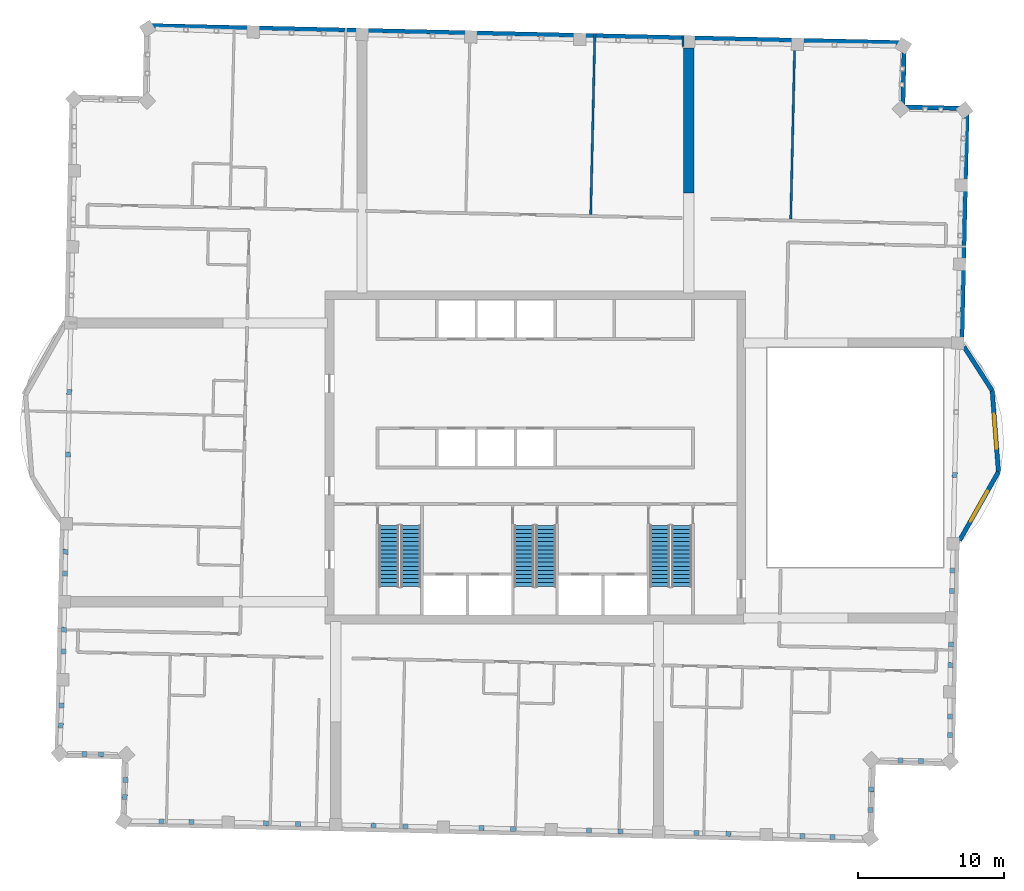
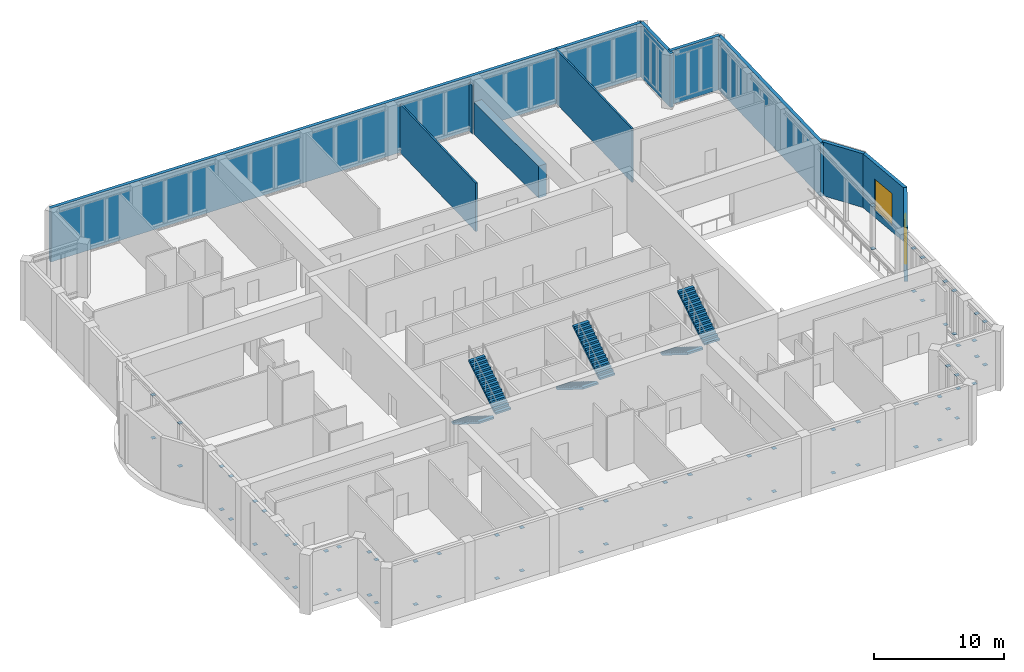
# One storey, part 13 of 16: 74 discrete accessories, 11 walls, 6 stair flights, 2 windows, 2 openings, 3 elements without a shape of their own.
"""IFC4 building model written with IfcOpenShell, lengths in metres."""

from ifc_helpers import new_model, si_unit, direction, frame, frame_2d, origin, origin_2d, place, context, subcontext, project, spatial, polyline, rectangle, outline, extrude, material, layer, layer_set, type_object, element, fill, aggregate, save


model = new_model("IFC4")

# Units and contexts
model_context = context("Model", 3, precision=1e-05, world=origin(), true_north=direction((0.0, 1.0)))
body_context = subcontext(model_context, "Body", "Model", "MODEL_VIEW")
ifc_project = project(units=[si_unit("LENGTHUNIT", "METRE"), si_unit("AREAUNIT", "SQUARE_METRE"), si_unit("VOLUMEUNIT", "CUBIC_METRE"), si_unit("PLANEANGLEUNIT", "RADIAN"), si_unit("MASSUNIT", "GRAM", prefix="KILO")], contexts=[model_context])

# Site, building, storey
site_placement = place(None, origin())
site = spatial("IfcSite", under=ifc_project, at=site_placement, CompositionType="ELEMENT")
building_placement = place(site_placement, origin())
building = spatial("IfcBuilding", under=site, at=building_placement, Name="Mangrove Gate Tower", CompositionType="ELEMENT")
storey_placement = place(building_placement, frame((0.0, 0.0, 324.10009765625)))
storey = spatial("IfcBuildingStorey", under=building, at=storey_placement, Name="L83", CompositionType="ELEMENT", Elevation=324.10009765625)

# Wall, opening, window
ifc_material_1 = material(Name="Limestone", Category="masonry")
ifc_layer_1 = layer(ifc_material_1, 0.0400390625, Name="Limestone cladding")
ifc_material_2 = material(Name="Ventilated air gap")
ifc_layer_2 = layer(ifc_material_2, 0.0400390625, Name="Ventilated cavity")
ifc_material_3 = material(Name="Mineral wool insulation")
ifc_layer_3 = layer(ifc_material_3, 0.06005859375, Name="Insulation")
ifc_material_4 = material(Name="Breather membrane")
ifc_layer_4 = layer(ifc_material_4, 0.001953125, Name="Breather membrane")
ifc_material_5 = material(Name="Concrete C20/25 blockwork", Category="masonry")
ifc_layer_5 = layer(ifc_material_5, 0.14990234375, Name="Blockwork backing wall")
ifc_material_6 = material(Name="Gypsum plaster")
ifc_layer_6 = layer(ifc_material_6, 0.008056640625, Name="Internal plaster")
ifc_layer_set_1 = layer_set([ifc_layer_1, ifc_layer_2, ifc_layer_3, ifc_layer_4, ifc_layer_5, ifc_layer_6], Name="External wall 300 limestone cladding")
wall_type_1 = type_object("IfcWallType", Name="External wall 300 limestone cladding", PredefinedType="SOLIDWALL", material=ifc_layer_set_1)
wall_1_placement = place(storey_placement, frame((29.052001953125, -5.677978515625, 0.0), z_axis=(0.0, 0.0, 1.0), x_axis=(0.492554919955, 0.870281363025, 0.0)))
wall_1 = element("IfcWall", 1, at=wall_1_placement, inside=storey, type_object=wall_type_1, Name="WALL-L83-E1f1", PredefinedType="SOLIDWALL", context=body_context, shape_type="SweptSolid", body=[
    extrude(rectangle(XDim=5.398193359375, YDim=0.300048828125, at=frame_2d((2.69921875, 0.0))), origin(), (0.0, 0.0, 1.0), 5.0498046875),
])
opening_1_placement = place(wall_1_placement, frame((1.4990234375, 0.0, 0.60009765625)))
opening_1 = element("IfcOpeningElement", 2, at=opening_1_placement, cuts=wall_1, Name="Opening W4", PredefinedType="OPENING", context=body_context, shape_type="SweptSolid", body=[
    extrude(rectangle(XDim=2.39990234375, YDim=3.0, at=frame_2d((1.199951171875, 1.5))), frame((0.0, 0.159912109375, 0.0), z_axis=(0.0, -1.0, 0.0), x_axis=(1.0, 0.0, 0.0)), (0.0, 0.0, 1.0), 0.320068359375),
])
ifc_material_7 = material(Name="Aluminium louvre blades", Category="aluminium")
window_type = type_object("IfcWindowType", Name="Plant louvre 2400x3000", PartitioningType="SINGLE_PANEL", PredefinedType="WINDOW", material=ifc_material_7)
window_1_placement = place(opening_1_placement, origin())
window_1 = element("IfcWindow", 3, at=window_1_placement, inside=storey, type_object=window_type, Name="WIN-L83-E1f1", OverallHeight=3.0, OverallWidth=2.39990234375, PartitioningType="SINGLE_PANEL", PredefinedType="WINDOW", context=body_context, shape_type="SweptSolid", body=[
    extrude(rectangle(XDim=2.39990234375, YDim=3.0, at=frame_2d((1.199951171875, 1.5))), frame((0.0, 0.030029296875, 0.0), z_axis=(0.0, -1.0, 0.0), x_axis=(1.0, 0.0, 0.0)), (0.0, 0.0, 1.0), 0.06005859375),
])
fill(opening_1, window_1)

wall_2_placement = place(storey_placement, frame((31.7109375, -0.97998046875, 0.0), z_axis=(0.0, 0.0, 1.0), x_axis=(-0.077138652977, 0.997020375026, 0.0)))
wall_2 = element("IfcWall", 4, at=wall_2_placement, inside=storey, type_object=wall_type_1, Name="WALL-L83-E1f2", PredefinedType="SOLIDWALL", context=body_context, shape_type="SweptSolid", body=[
    extrude(rectangle(XDim=5.573486328125, YDim=0.300048828125, at=frame_2d((2.78662109375, 0.0))), origin(), (0.0, 0.0, 1.0), 5.0498046875),
])
opening_2_placement = place(wall_2_placement, frame((1.5869140625, 0.0, 0.60009765625)))
opening_2 = element("IfcOpeningElement", 5, at=opening_2_placement, cuts=wall_2, Name="Opening W4", PredefinedType="OPENING", context=body_context, shape_type="SweptSolid", body=[
    extrude(rectangle(XDim=2.39990234375, YDim=3.0, at=frame_2d((1.199951171875, 1.5))), frame((0.0, 0.159912109375, 0.0), z_axis=(0.0, -1.0, 0.0), x_axis=(1.0, 0.0, 0.0)), (0.0, 0.0, 1.0), 0.320068359375),
])
window_2_placement = place(opening_2_placement, origin())
window_2 = element("IfcWindow", 6, at=window_2_placement, inside=storey, type_object=window_type, Name="WIN-L83-E1f2", OverallHeight=3.0, OverallWidth=2.39990234375, PartitioningType="SINGLE_PANEL", PredefinedType="WINDOW", context=body_context, shape_type="SweptSolid", body=[
    extrude(rectangle(XDim=2.39990234375, YDim=3.0, at=frame_2d((1.199951171875, 1.5))), frame((0.0, 0.030029296875, 0.0), z_axis=(0.0, -1.0, 0.0), x_axis=(1.0, 0.0, 0.0)), (0.0, 0.0, 1.0), 0.06005859375),
])
fill(opening_2, window_2)

# Walls
wall_3_placement = place(storey_placement, frame((31.281005859375, 4.576904296875, 0.0), z_axis=(0.0, 0.0, 1.0), x_axis=(-0.540429130882, 0.841389537904, 0.0)))
element("IfcWall", 7, at=wall_3_placement, inside=storey, type_object=wall_type_1, Name="WALL-L83-E1f3", PredefinedType="SOLIDWALL", context=body_context, shape_type="SweptSolid", body=[
    extrude(rectangle(XDim=3.5693359375, YDim=0.300048828125, at=frame_2d((1.78466796875, 0.0))), origin(), (0.0, 0.0, 1.0), 5.0498046875),
])
wall_4_placement = place(storey_placement, frame((29.18798828125, 7.404052734375, 0.0), z_axis=(0.0, 0.0, 1.0), x_axis=(0.022728463996, 0.999741675096, 0.0)))
element("IfcWall", 8, at=wall_4_placement, inside=storey, type_object=wall_type_1, Name="WALL-L83-E2s1", PredefinedType="SOLIDWALL", context=body_context, shape_type="SweptSolid", body=[
    extrude(rectangle(XDim=16.4990234375, YDim=0.300048828125, at=frame_2d((8.24951171875, 0.0))), origin(), (0.0, 0.0, 1.0), 5.0498046875),
])
wall_5_placement = place(storey_placement, frame((29.56298828125, 23.89892578125, 0.0), z_axis=(0.0, 0.0, 1.0), x_axis=(-0.999741204967, 0.022749133868, 0.0)))
element("IfcWall", 9, at=wall_5_placement, inside=storey, type_object=wall_type_1, Name="WALL-L83-N3", PredefinedType="SOLIDWALL", context=body_context, shape_type="SweptSolid", body=[
    extrude(rectangle(XDim=4.400146484375, YDim=0.300048828125, at=frame_2d((2.2001953125, 0.0))), origin(), (0.0, 0.0, 1.0), 5.0498046875),
])
wall_6_placement = place(storey_placement, frame((25.154052734375, 23.555908203125, 0.0), z_axis=(0.0, 0.0, 1.0), x_axis=(0.022688192316, 0.999742589835, 0.0)))
element("IfcWall", 10, at=wall_6_placement, inside=storey, type_object=wall_type_1, Name="WALL-L83-E4s1", PredefinedType="SOLIDWALL", context=body_context, shape_type="SweptSolid", body=[
    extrude(rectangle(XDim=4.84228515625, YDim=0.300048828125, at=frame_2d((2.421142578125, 0.0))), origin(), (0.0, 0.0, 1.0), 5.0498046875),
])
wall_7_placement = place(storey_placement, frame((25.263916015625, 28.39697265625, 0.0), z_axis=(0.0, 0.0, 1.0), x_axis=(-0.999742391375, 0.022696935658, 0.0)))
element("IfcWall", 11, at=wall_7_placement, inside=storey, type_object=wall_type_1, Name="WALL-L83-N5", PredefinedType="SOLIDWALL", context=body_context, shape_type="SweptSolid", body=[
    extrude(rectangle(XDim=51.900390625, YDim=0.300048828125, at=frame_2d((25.9501953125, 0.0))), origin(), (0.0, 0.0, 1.0), 5.0498046875),
])
ifc_material_8 = material(Name="Concrete C50/60", Category="concrete")
ifc_layer_7 = layer(ifc_material_8, 0.699951171875)
ifc_layer_set_2 = layer_set([ifc_layer_7], Name="Outrigger wall 700 C50/60")
wall_type_2 = type_object("IfcWallType", Name="Outrigger wall 700 C50/60", PredefinedType="SHEAR", material=ifc_layer_set_2)
wall_8_placement = place(storey_placement, frame((10.497314453125, 18.10009765625, 0.0), z_axis=(0.0, 0.0, 1.0), x_axis=(0.0, 1.0, 0.0)))
element("IfcWall", 12, at=wall_8_placement, inside=storey, type_object=wall_type_2, Name="Outrigger wall L83 OR3 pier", PredefinedType="SHEAR", context=body_context, shape_type="SweptSolid", body=[
    extrude(rectangle(XDim=9.931884765625, YDim=0.699951171875, at=frame_2d((4.9658203125, 0.0))), origin(), (0.0, 0.0, 1.0), 3.0),
])
ifc_material_9 = material(Name="Gypsum board on steel stud, EI 60", Category="steel")
ifc_layer_8 = layer(ifc_material_9, 0.14990234375)
ifc_layer_set_3 = layer_set([ifc_layer_8], Name="Party wall 150 EI 60")
wall_type_3 = type_object("IfcWallType", Name="Party wall 150 EI 60", PredefinedType="PARTITIONING", material=ifc_layer_set_3)
wall_9_placement = place(storey_placement, frame((3.791015625, 16.632080078125, 0.0), z_axis=(0.0, 0.0, 1.0), x_axis=(0.022741979748, 0.999741367733, 0.0)))
element("IfcWall", 13, at=wall_9_placement, inside=storey, type_object=wall_type_3, Name="WALL-L83-059", PredefinedType="PARTITIONING", context=body_context, shape_type="SweptSolid", body=[
    extrude(rectangle(XDim=12.399169921875, YDim=0.14990234375, at=frame_2d((6.19970703125, 0.0))), origin(), (0.0, 0.0, 1.0), 4.5498046875),
])
wall_10_placement = place(storey_placement, frame((17.488037109375, 16.321044921875, 0.0), z_axis=(0.0, 0.0, 1.0), x_axis=(0.022661475803, 0.999743195783, 0.0)))
element("IfcWall", 14, at=wall_10_placement, inside=storey, type_object=wall_type_3, Name="WALL-L83-061", PredefinedType="PARTITIONING", context=body_context, shape_type="SweptSolid", body=[
    extrude(rectangle(XDim=12.400146484375, YDim=0.14990234375, at=frame_2d((6.2001953125, 0.0))), origin(), (0.0, 0.0, 1.0), 5.0498046875),
])
wall_11_placement = place(storey_placement, frame((10.10400390625, 28.131103515625, 0.0), z_axis=(0.0, 0.0, 1.0), x_axis=(0.022480664778, 0.999747277921, 0.0)))
element("IfcWall", 15, at=wall_11_placement, inside=storey, type_object=wall_type_3, Name="WALL-L83-064", PredefinedType="PARTITIONING", context=body_context, shape_type="SweptSolid", body=[
    extrude(rectangle(XDim=0.76025390625, YDim=0.14990234375, at=frame_2d((0.380126953125, 0.0))), origin(), (0.0, 0.0, 1.0), 4.5498046875),
])

# Stair, stair flights
ifc_material_10 = material(Name="Concrete C40/50", Category="concrete")
stair_type = type_object("IfcStairType", Name="Core stair 1350", PredefinedType="HALF_TURN_STAIR", material=ifc_material_10)
stair_1_placement = place(storey_placement, origin())
stair_1 = element("IfcStair", 16, at=stair_1_placement, inside=storey, type_object=stair_type, Name="L83 Stair 1", PredefinedType="HALF_TURN_STAIR")
ifc_material_11 = material(Name="Concrete C40/50", Category="concrete")
stair_flight_type = type_object("IfcStairFlightType", Name="Core stair flight 1350", PredefinedType="STRAIGHT", material=ifc_material_11)
stair_flight_1_placement = place(storey_placement, frame((-10.02490234375, -4.64990234375, 0.0), z_axis=(0.0, 0.0, 1.0), x_axis=(0.0, -1.0, 0.0)))
stair_flight_1 = element("IfcStairFlight", 17, at=stair_flight_1_placement, type_object=stair_flight_type, Name="ST1 flight 1", NumberOfRisers=16, NumberOfTreads=15, PredefinedType="STRAIGHT", RiserHeight=0.175, TreadLength=0.28, context=body_context, shape_type="SweptSolid", body=[
    extrude(outline(polyline([(0.0, 0.0), (0.0, 0.175048828125), (0.280029296875, 0.175048828125), (0.280029296875, 0.35009765625), (0.56005859375, 0.35009765625), (0.56005859375, 0.52490234375), (0.840087890625, 0.52490234375), (0.840087890625, 0.699951171875), (1.1201171875, 0.699951171875), (1.1201171875, 0.875), (1.39990234375, 0.875), (1.39990234375, 1.050048828125), (1.679931640625, 1.050048828125), (1.679931640625, 1.22509765625), (1.9599609375, 1.22509765625), (1.9599609375, 1.39990234375), (2.239990234375, 1.39990234375), (2.239990234375, 1.574951171875), (2.52001953125, 1.574951171875), (2.52001953125, 1.75), (2.800048828125, 1.75), (2.800048828125, 1.925048828125), (3.080078125, 1.925048828125), (3.080078125, 2.10009765625), (3.360107421875, 2.10009765625), (3.360107421875, 2.27490234375), (3.639892578125, 2.27490234375), (3.639892578125, 2.449951171875), (3.919921875, 2.449951171875), (3.919921875, 2.625), (4.199951171875, 2.625), (4.199951171875, 2.800048828125), (4.199951171875, 2.4482421875), (0.28271484375, 0.0), (0.0, 0.0)])), frame((0.0, 0.675048828125, 0.0), z_axis=(0.0, -1.0, 0.0), x_axis=(1.0, 0.0, 0.0)), (0.0, 0.0, 1.0), 1.35009765625),
])
stair_flight_2_placement = place(storey_placement, frame((-8.52490234375, -8.85009765625, 2.7998046875), z_axis=(0.0, 0.0, 1.0), x_axis=(0.0, 1.0, 0.0)))
stair_flight_2 = element("IfcStairFlight", 18, at=stair_flight_2_placement, type_object=stair_flight_type, Name="ST1 flight 2", NumberOfRisers=16, NumberOfTreads=15, PredefinedType="STRAIGHT", RiserHeight=0.175, TreadLength=0.28, context=body_context, shape_type="SweptSolid", body=[
    extrude(outline(polyline([(0.0, 0.0), (0.0, 0.175048828125), (0.280029296875, 0.175048828125), (0.280029296875, 0.35009765625), (0.56005859375, 0.35009765625), (0.56005859375, 0.52490234375), (0.840087890625, 0.52490234375), (0.840087890625, 0.699951171875), (1.1201171875, 0.699951171875), (1.1201171875, 0.875), (1.39990234375, 0.875), (1.39990234375, 1.050048828125), (1.679931640625, 1.050048828125), (1.679931640625, 1.22509765625), (1.9599609375, 1.22509765625), (1.9599609375, 1.39990234375), (2.239990234375, 1.39990234375), (2.239990234375, 1.574951171875), (2.52001953125, 1.574951171875), (2.52001953125, 1.75), (2.800048828125, 1.75), (2.800048828125, 1.925048828125), (3.080078125, 1.925048828125), (3.080078125, 2.10009765625), (3.360107421875, 2.10009765625), (3.360107421875, 2.27490234375), (3.639892578125, 2.27490234375), (3.639892578125, 2.449951171875), (3.919921875, 2.449951171875), (3.919921875, 2.625), (4.199951171875, 2.625), (4.199951171875, 2.800048828125), (4.199951171875, 2.4482421875), (0.28271484375, 0.0), (0.0, 0.0)])), frame((0.0, 0.675048828125, 0.0), z_axis=(0.0, -1.0, 0.0), x_axis=(1.0, 0.0, 0.0)), (0.0, 0.0, 1.0), 1.35009765625),
])
aggregate(stair_1, [stair_flight_1, stair_flight_2])

stair_2_placement = place(storey_placement, origin())
stair_2 = element("IfcStair", 19, at=stair_2_placement, inside=storey, type_object=stair_type, Name="L83 Stair 2", PredefinedType="HALF_TURN_STAIR")
stair_flight_3_placement = place(storey_placement, frame((-0.77490234375, -4.64990234375, 0.0), z_axis=(0.0, 0.0, 1.0), x_axis=(0.0, -1.0, 0.0)))
stair_flight_3 = element("IfcStairFlight", 20, at=stair_flight_3_placement, type_object=stair_flight_type, Name="ST2 flight 1", NumberOfRisers=16, NumberOfTreads=15, PredefinedType="STRAIGHT", RiserHeight=0.175, TreadLength=0.28, context=body_context, shape_type="SweptSolid", body=[
    extrude(outline(polyline([(0.0, 0.0), (0.0, 0.175048828125), (0.280029296875, 0.175048828125), (0.280029296875, 0.35009765625), (0.56005859375, 0.35009765625), (0.56005859375, 0.52490234375), (0.840087890625, 0.52490234375), (0.840087890625, 0.699951171875), (1.1201171875, 0.699951171875), (1.1201171875, 0.875), (1.39990234375, 0.875), (1.39990234375, 1.050048828125), (1.679931640625, 1.050048828125), (1.679931640625, 1.22509765625), (1.9599609375, 1.22509765625), (1.9599609375, 1.39990234375), (2.239990234375, 1.39990234375), (2.239990234375, 1.574951171875), (2.52001953125, 1.574951171875), (2.52001953125, 1.75), (2.800048828125, 1.75), (2.800048828125, 1.925048828125), (3.080078125, 1.925048828125), (3.080078125, 2.10009765625), (3.360107421875, 2.10009765625), (3.360107421875, 2.27490234375), (3.639892578125, 2.27490234375), (3.639892578125, 2.449951171875), (3.919921875, 2.449951171875), (3.919921875, 2.625), (4.199951171875, 2.625), (4.199951171875, 2.800048828125), (4.199951171875, 2.4482421875), (0.28271484375, 0.0), (0.0, 0.0)])), frame((0.0, 0.675048828125, 0.0), z_axis=(0.0, -1.0, 0.0), x_axis=(1.0, 0.0, 0.0)), (0.0, 0.0, 1.0), 1.35009765625),
])
stair_flight_4_placement = place(storey_placement, frame((0.72509765625, -8.85009765625, 2.7998046875), z_axis=(0.0, 0.0, 1.0), x_axis=(0.0, 1.0, 0.0)))
stair_flight_4 = element("IfcStairFlight", 21, at=stair_flight_4_placement, type_object=stair_flight_type, Name="ST2 flight 2", NumberOfRisers=16, NumberOfTreads=15, PredefinedType="STRAIGHT", RiserHeight=0.175, TreadLength=0.28, context=body_context, shape_type="SweptSolid", body=[
    extrude(outline(polyline([(0.0, 0.0), (0.0, 0.175048828125), (0.280029296875, 0.175048828125), (0.280029296875, 0.35009765625), (0.56005859375, 0.35009765625), (0.56005859375, 0.52490234375), (0.840087890625, 0.52490234375), (0.840087890625, 0.699951171875), (1.1201171875, 0.699951171875), (1.1201171875, 0.875), (1.39990234375, 0.875), (1.39990234375, 1.050048828125), (1.679931640625, 1.050048828125), (1.679931640625, 1.22509765625), (1.9599609375, 1.22509765625), (1.9599609375, 1.39990234375), (2.239990234375, 1.39990234375), (2.239990234375, 1.574951171875), (2.52001953125, 1.574951171875), (2.52001953125, 1.75), (2.800048828125, 1.75), (2.800048828125, 1.925048828125), (3.080078125, 1.925048828125), (3.080078125, 2.10009765625), (3.360107421875, 2.10009765625), (3.360107421875, 2.27490234375), (3.639892578125, 2.27490234375), (3.639892578125, 2.449951171875), (3.919921875, 2.449951171875), (3.919921875, 2.625), (4.199951171875, 2.625), (4.199951171875, 2.800048828125), (4.199951171875, 2.4482421875), (0.28271484375, 0.0), (0.0, 0.0)])), frame((0.0, 0.675048828125, 0.0), z_axis=(0.0, -1.0, 0.0), x_axis=(1.0, 0.0, 0.0)), (0.0, 0.0, 1.0), 1.35009765625),
])
aggregate(stair_2, [stair_flight_3, stair_flight_4])

stair_3_placement = place(storey_placement, origin())
stair_3 = element("IfcStair", 22, at=stair_3_placement, inside=storey, type_object=stair_type, Name="L83 Stair 3", PredefinedType="HALF_TURN_STAIR")
stair_flight_5_placement = place(storey_placement, frame((8.52490234375, -4.64990234375, 0.0), z_axis=(0.0, 0.0, 1.0), x_axis=(0.0, -1.0, 0.0)))
stair_flight_5 = element("IfcStairFlight", 23, at=stair_flight_5_placement, type_object=stair_flight_type, Name="ST3 flight 1", NumberOfRisers=16, NumberOfTreads=15, PredefinedType="STRAIGHT", RiserHeight=0.175, TreadLength=0.28, context=body_context, shape_type="SweptSolid", body=[
    extrude(outline(polyline([(0.0, 0.0), (0.0, 0.175048828125), (0.280029296875, 0.175048828125), (0.280029296875, 0.35009765625), (0.56005859375, 0.35009765625), (0.56005859375, 0.52490234375), (0.840087890625, 0.52490234375), (0.840087890625, 0.699951171875), (1.1201171875, 0.699951171875), (1.1201171875, 0.875), (1.39990234375, 0.875), (1.39990234375, 1.050048828125), (1.679931640625, 1.050048828125), (1.679931640625, 1.22509765625), (1.9599609375, 1.22509765625), (1.9599609375, 1.39990234375), (2.239990234375, 1.39990234375), (2.239990234375, 1.574951171875), (2.52001953125, 1.574951171875), (2.52001953125, 1.75), (2.800048828125, 1.75), (2.800048828125, 1.925048828125), (3.080078125, 1.925048828125), (3.080078125, 2.10009765625), (3.360107421875, 2.10009765625), (3.360107421875, 2.27490234375), (3.639892578125, 2.27490234375), (3.639892578125, 2.449951171875), (3.919921875, 2.449951171875), (3.919921875, 2.625), (4.199951171875, 2.625), (4.199951171875, 2.800048828125), (4.199951171875, 2.4482421875), (0.28271484375, 0.0), (0.0, 0.0)])), frame((0.0, 0.675048828125, 0.0), z_axis=(0.0, -1.0, 0.0), x_axis=(1.0, 0.0, 0.0)), (0.0, 0.0, 1.0), 1.35009765625),
])
stair_flight_6_placement = place(storey_placement, frame((10.02490234375, -8.85009765625, 2.7998046875), z_axis=(0.0, 0.0, 1.0), x_axis=(0.0, 1.0, 0.0)))
stair_flight_6 = element("IfcStairFlight", 24, at=stair_flight_6_placement, type_object=stair_flight_type, Name="ST3 flight 2", NumberOfRisers=16, NumberOfTreads=15, PredefinedType="STRAIGHT", RiserHeight=0.175, TreadLength=0.28, context=body_context, shape_type="SweptSolid", body=[
    extrude(outline(polyline([(0.0, 0.0), (0.0, 0.175048828125), (0.280029296875, 0.175048828125), (0.280029296875, 0.35009765625), (0.56005859375, 0.35009765625), (0.56005859375, 0.52490234375), (0.840087890625, 0.52490234375), (0.840087890625, 0.699951171875), (1.1201171875, 0.699951171875), (1.1201171875, 0.875), (1.39990234375, 0.875), (1.39990234375, 1.050048828125), (1.679931640625, 1.050048828125), (1.679931640625, 1.22509765625), (1.9599609375, 1.22509765625), (1.9599609375, 1.39990234375), (2.239990234375, 1.39990234375), (2.239990234375, 1.574951171875), (2.52001953125, 1.574951171875), (2.52001953125, 1.75), (2.800048828125, 1.75), (2.800048828125, 1.925048828125), (3.080078125, 1.925048828125), (3.080078125, 2.10009765625), (3.360107421875, 2.10009765625), (3.360107421875, 2.27490234375), (3.639892578125, 2.27490234375), (3.639892578125, 2.449951171875), (3.919921875, 2.449951171875), (3.919921875, 2.625), (4.199951171875, 2.625), (4.199951171875, 2.800048828125), (4.199951171875, 2.4482421875), (0.28271484375, 0.0), (0.0, 0.0)])), frame((0.0, 0.675048828125, 0.0), z_axis=(0.0, -1.0, 0.0), x_axis=(1.0, 0.0, 0.0)), (0.0, 0.0, 1.0), 1.35009765625),
])
aggregate(stair_3, [stair_flight_5, stair_flight_6])

# Discrete accessories
ifc_material_12 = material(Name="Steel S355J2H", Category="steel")
ifc_layer_9 = layer(ifc_material_12, 0.02001953125)
ifc_layer_set_4 = layer_set([ifc_layer_9], Name="Belt truss end plate 340x340x20")
discrete_accessory_type = type_object("IfcDiscreteAccessoryType", Name="Belt truss end plate 340x340x20", PredefinedType="ANCHORPLATE", material=ifc_layer_set_4)
for number, where, z_axis, x_axis, name in (
    (25, (-32.166748046875, -6.456298828125, 0.489990234375), (0.0, 0.0, 1.0), (-0.022653413092, -0.99974337851, 0.0), "Belt truss end plate L83 00-1 bottom"),
    (26, (-32.166748046875, -6.456298828125, 4.539794921875), (0.0, 0.0, 1.0), (-0.022653413092, -0.99974337851, 0.0), "Belt truss end plate L83 00-1 top"),
    (27, (-32.20068359375, -7.952880859375, 0.489990234375), (0.0, 0.0, 1.0), (-0.022653413092, -0.99974337851, 0.0), "Belt truss end plate L83 00-2 bottom"),
    (28, (-32.20068359375, -7.952880859375, 4.539794921875), (0.0, 0.0, 1.0), (-0.022653413092, -0.99974337851, 0.0), "Belt truss end plate L83 00-2 top"),
    (29, (-32.28759765625, -11.79638671875, 0.489990234375), (0.0, 0.0, 1.0), (-0.022653378195, -0.999743379301, 0.0), "Belt truss end plate L83 01-1 bottom"),
    (30, (-32.28759765625, -11.79638671875, 4.539794921875), (0.0, 0.0, 1.0), (-0.022653378195, -0.999743379301, 0.0), "Belt truss end plate L83 01-1 top"),
    (31, (-32.321533203125, -13.29296875, 0.489990234375), (0.0, 0.0, 1.0), (-0.022653378195, -0.999743379301, 0.0), "Belt truss end plate L83 01-2 bottom"),
    (32, (-32.321533203125, -13.29296875, 4.539794921875), (0.0, 0.0, 1.0), (-0.022653378195, -0.999743379301, 0.0), "Belt truss end plate L83 01-2 top"),
    (33, (-32.44189453125, -16.994384765625, 0.489990234375), (0.0, 0.0, 1.0), (-0.043159577488, -0.999068191302, 0.0), "Belt truss end plate L83 02-1 bottom"),
    (34, (-32.44189453125, -16.994384765625, 4.539794921875), (0.0, 0.0, 1.0), (-0.043159577488, -0.999068191302, 0.0), "Belt truss end plate L83 02-1 top"),
    (35, (-32.50048828125, -18.349609375, 0.489990234375), (0.0, 0.0, 1.0), (-0.043159577488, -0.999068191302, 0.0), "Belt truss end plate L83 02-2 bottom"),
    (36, (-32.50048828125, -18.349609375, 4.539794921875), (0.0, 0.0, 1.0), (-0.043159577488, -0.999068191302, 0.0), "Belt truss end plate L83 02-2 top"),
    (37, (-30.884765625, -20.30517578125, 0.489990234375), (0.0, 0.0, 1.0), (0.99984233658, -0.017756744686, 0.0), "Belt truss end plate L83 03-1 bottom"),
    (38, (-30.884765625, -20.30517578125, 4.539794921875), (0.0, 0.0, 1.0), (0.99984233658, -0.017756744686, 0.0), "Belt truss end plate L83 03-1 top"),
    (39, (-29.744384765625, -20.325439453125, 0.489990234375), (0.0, 0.0, 1.0), (0.99984233658, -0.017756744686, 0.0), "Belt truss end plate L83 03-2 bottom"),
    (40, (-29.744384765625, -20.325439453125, 4.539794921875), (0.0, 0.0, 1.0), (0.99984233658, -0.017756744686, 0.0), "Belt truss end plate L83 03-2 top"),
    (41, (-28.073974609375, -22.09765625, 0.489990234375), (0.0, 0.0, 1.0), (-0.039232906077, -0.999230093162, 0.0), "Belt truss end plate L83 04-1 bottom"),
    (42, (-28.073974609375, -22.09765625, 4.539794921875), (0.0, 0.0, 1.0), (-0.039232906077, -0.999230093162, 0.0), "Belt truss end plate L83 04-1 top"),
    (43, (-28.119140625, -23.247802734375, 0.489990234375), (0.0, 0.0, 1.0), (-0.039232906077, -0.999230093162, 0.0), "Belt truss end plate L83 04-2 bottom"),
    (44, (-28.119140625, -23.247802734375, 4.539794921875), (0.0, 0.0, 1.0), (-0.039232906077, -0.999230093162, 0.0), "Belt truss end plate L83 04-2 top"),
    (45, (-25.60791015625, -24.9287109375, 0.489990234375), (0.0, 0.0, 1.0), (0.999906983887, -0.013639045952, 0.0), "Belt truss end plate L83 05-1 bottom"),
    (46, (-25.60791015625, -24.9287109375, 4.539794921875), (0.0, 0.0, 1.0), (0.999906983887, -0.013639045952, 0.0), "Belt truss end plate L83 05-1 top"),
    (47, (-23.53564453125, -24.95703125, 0.489990234375), (0.0, 0.0, 1.0), (0.999906983887, -0.013639045952, 0.0), "Belt truss end plate L83 05-2 bottom"),
    (48, (-23.53564453125, -24.95703125, 4.539794921875), (0.0, 0.0, 1.0), (0.999906983887, -0.013639045952, 0.0), "Belt truss end plate L83 05-2 top"),
    (49, (-18.440185546875, -25.050048828125, 0.489990234375), (0.0, 0.0, 1.0), (0.999743373766, -0.022653622478, 0.0), "Belt truss end plate L83 06-1 bottom"),
    (50, (-18.440185546875, -25.050048828125, 4.539794921875), (0.0, 0.0, 1.0), (0.999743373766, -0.022653622478, 0.0), "Belt truss end plate L83 06-1 top"),
    (51, (-16.2666015625, -25.09912109375, 0.489990234375), (0.0, 0.0, 1.0), (0.999743373766, -0.022653622478, 0.0), "Belt truss end plate L83 06-2 bottom"),
    (52, (-16.2666015625, -25.09912109375, 4.539794921875), (0.0, 0.0, 1.0), (0.999743373766, -0.022653622478, 0.0), "Belt truss end plate L83 06-2 top"),
    (53, (-11.0703125, -25.217041015625, 0.489990234375), (0.0, 0.0, 1.0), (0.999743304174, -0.022656693469, 0.0), "Belt truss end plate L83 07-1 bottom"),
    (54, (-11.0703125, -25.217041015625, 4.539794921875), (0.0, 0.0, 1.0), (0.999743304174, -0.022656693469, 0.0), "Belt truss end plate L83 07-1 top"),
    (55, (-8.897216796875, -25.26611328125, 0.489990234375), (0.0, 0.0, 1.0), (0.999743304174, -0.022656693469, 0.0), "Belt truss end plate L83 07-2 bottom"),
    (56, (-8.897216796875, -25.26611328125, 4.539794921875), (0.0, 0.0, 1.0), (0.999743304174, -0.022656693469, 0.0), "Belt truss end plate L83 07-2 top"),
    (57, (-3.701171875, -25.384033203125, 0.489990234375), (0.0, 0.0, 1.0), (0.999743372975, -0.022653657376, 0.0), "Belt truss end plate L83 08-1 bottom"),
    (58, (-3.701171875, -25.384033203125, 4.539794921875), (0.0, 0.0, 1.0), (0.999743372975, -0.022653657376, 0.0), "Belt truss end plate L83 08-1 top"),
    (59, (-1.527587890625, -25.433349609375, 0.489990234375), (0.0, 0.0, 1.0), (0.999743372975, -0.022653657376, 0.0), "Belt truss end plate L83 08-2 bottom"),
    (60, (-1.527587890625, -25.433349609375, 4.539794921875), (0.0, 0.0, 1.0), (0.999743372975, -0.022653657376, 0.0), "Belt truss end plate L83 08-2 top"),
    (61, (3.668701171875, -25.55126953125, 0.489990234375), (0.0, 0.0, 1.0), (0.999740222062, -0.022792287981, 0.0), "Belt truss end plate L83 09-1 bottom"),
    (62, (3.668701171875, -25.55126953125, 4.539794921875), (0.0, 0.0, 1.0), (0.999740222062, -0.022792287981, 0.0), "Belt truss end plate L83 09-1 top"),
    (63, (5.841796875, -25.600830078125, 0.489990234375), (0.0, 0.0, 1.0), (0.999740222062, -0.022792287981, 0.0), "Belt truss end plate L83 09-2 bottom"),
    (64, (5.841796875, -25.600830078125, 4.539794921875), (0.0, 0.0, 1.0), (0.999740222062, -0.022792287981, 0.0), "Belt truss end plate L83 09-2 top"),
    (65, (11.037841796875, -25.718994140625, 0.489990234375), (0.0, 0.0, 1.0), (0.999743374952, -0.022653570131, 0.0), "Belt truss end plate L83 10-1 bottom"),
    (66, (11.037841796875, -25.718994140625, 4.539794921875), (0.0, 0.0, 1.0), (0.999743374952, -0.022653570131, 0.0), "Belt truss end plate L83 10-1 top"),
    (67, (13.21142578125, -25.768310546875, 0.489990234375), (0.0, 0.0, 1.0), (0.999743374952, -0.022653570131, 0.0), "Belt truss end plate L83 10-2 bottom"),
    (68, (13.21142578125, -25.768310546875, 4.539794921875), (0.0, 0.0, 1.0), (0.999743374952, -0.022653570131, 0.0), "Belt truss end plate L83 10-2 top"),
    (69, (18.2880859375, -25.911865234375, 0.489990234375), (0.0, 0.0, 1.0), (0.999415590638, -0.034182995632, 0.0), "Belt truss end plate L83 11-1 bottom"),
    (70, (18.2880859375, -25.911865234375, 4.539794921875), (0.0, 0.0, 1.0), (0.999415590638, -0.034182995632, 0.0), "Belt truss end plate L83 11-1 top"),
    (71, (20.341796875, -25.982177734375, 0.489990234375), (0.0, 0.0, 1.0), (0.999415590638, -0.034182995632, 0.0), "Belt truss end plate L83 11-2 bottom"),
    (72, (20.341796875, -25.982177734375, 4.539794921875), (0.0, 0.0, 1.0), (0.999415590638, -0.034182995632, 0.0), "Belt truss end plate L83 11-2 top"),
    (73, (22.95263671875, -24.134521484375, 0.489990234375), (0.0, 0.0, 1.0), (0.013379382111, 0.999910492061, 0.0), "Belt truss end plate L83 12-1 bottom"),
    (74, (22.95263671875, -24.134521484375, 4.539794921875), (0.0, 0.0, 1.0), (0.013379382111, 0.999910492061, 0.0), "Belt truss end plate L83 12-1 top"),
    (75, (22.971435546875, -22.721923828125, 0.489990234375), (0.0, 0.0, 1.0), (0.013379382111, 0.999910492061, 0.0), "Belt truss end plate L83 12-2 bottom"),
    (76, (22.971435546875, -22.721923828125, 4.539794921875), (0.0, 0.0, 1.0), (0.013379382111, 0.999910492061, 0.0), "Belt truss end plate L83 12-2 top"),
    (77, (25.007080078125, -20.755615234375, 0.489990234375), (0.0, 0.0, 1.0), (0.999781596309, -0.020898796202, 0.0), "Belt truss end plate L83 13-1 bottom"),
    (78, (25.007080078125, -20.755615234375, 4.539794921875), (0.0, 0.0, 1.0), (0.999781596309, -0.020898796202, 0.0), "Belt truss end plate L83 13-1 top"),
    (79, (26.416015625, -20.78515625, 0.489990234375), (0.0, 0.0, 1.0), (0.999781596309, -0.020898796202, 0.0), "Belt truss end plate L83 13-2 bottom"),
    (80, (26.416015625, -20.78515625, 4.539794921875), (0.0, 0.0, 1.0), (0.999781596309, -0.020898796202, 0.0), "Belt truss end plate L83 13-2 top"),
    (81, (28.397216796875, -19.00048828125, 0.489990234375), (0.0, 0.0, 1.0), (-0.005436185152, 0.999985223836, 0.0), "Belt truss end plate L83 14-1 bottom"),
    (82, (28.397216796875, -19.00048828125, 4.539794921875), (0.0, 0.0, 1.0), (-0.005436185152, 0.999985223836, 0.0), "Belt truss end plate L83 14-1 top"),
    (83, (28.390380859375, -17.742431640625, 0.489990234375), (0.0, 0.0, 1.0), (-0.005436185152, 0.999985223836, 0.0), "Belt truss end plate L83 14-2 bottom"),
    (84, (28.390380859375, -17.742431640625, 4.539794921875), (0.0, 0.0, 1.0), (-0.005436185152, 0.999985223836, 0.0), "Belt truss end plate L83 14-2 top"),
    (85, (28.422607421875, -14.226806640625, 0.489990234375), (0.0, 0.0, 1.0), (0.022663201875, 0.999743156656, 0.0), "Belt truss end plate L83 15-1 bottom"),
    (86, (28.422607421875, -14.226806640625, 4.539794921875), (0.0, 0.0, 1.0), (0.022663201875, 0.999743156656, 0.0), "Belt truss end plate L83 15-1 top"),
    (87, (28.45458984375, -12.819091796875, 0.489990234375), (0.0, 0.0, 1.0), (0.022663201875, 0.999743156656, 0.0), "Belt truss end plate L83 15-2 bottom"),
    (88, (28.45458984375, -12.819091796875, 4.539794921875), (0.0, 0.0, 1.0), (0.022663201875, 0.999743156656, 0.0), "Belt truss end plate L83 15-2 top"),
    (89, (28.53759765625, -9.1533203125, 0.489990234375), (0.0, 0.0, 1.0), (0.022658700082, 0.999743258697, 0.0), "Belt truss end plate L83 16-1 bottom"),
    (90, (28.53759765625, -9.1533203125, 4.539794921875), (0.0, 0.0, 1.0), (0.022658700082, 0.999743258697, 0.0), "Belt truss end plate L83 16-1 top"),
    (91, (28.569580078125, -7.745361328125, 0.489990234375), (0.0, 0.0, 1.0), (0.022658700082, 0.999743258697, 0.0), "Belt truss end plate L83 16-2 bottom"),
    (92, (28.569580078125, -7.745361328125, 4.539794921875), (0.0, 0.0, 1.0), (0.022658700082, 0.999743258697, 0.0), "Belt truss end plate L83 16-2 top"),
    (93, (28.71826171875, -1.1884765625, 0.489990234375), (0.0, 0.0, 1.0), (0.022690073034, 0.999742547152, 0.0), "Belt truss end plate L83 17-1 bottom"),
    (94, (28.71826171875, -1.1884765625, 4.539794921875), (0.0, 0.0, 1.0), (0.022690073034, 0.999742547152, 0.0), "Belt truss end plate L83 17-1 top"),
    (95, (-31.918212890625, 4.48828125, 0.489990234375), (0.0, 0.0, 1.0), (-0.022690020688, -0.99974254834, 0.0), "Belt truss end plate L83 35-1 bottom"),
    (96, (-31.918212890625, 4.48828125, 4.539794921875), (0.0, 0.0, 1.0), (-0.022690020688, -0.99974254834, 0.0), "Belt truss end plate L83 35-1 top"),
    (97, (-32.015869140625, 0.189208984375, 0.489990234375), (0.0, 0.0, 1.0), (-0.022690020688, -0.99974254834, 0.0), "Belt truss end plate L83 35-2 bottom"),
    (98, (-32.015869140625, 0.189208984375, 4.539794921875), (0.0, 0.0, 1.0), (-0.022690020688, -0.99974254834, 0.0), "Belt truss end plate L83 35-2 top"),
):
    element("IfcDiscreteAccessory", number, at=place(storey_placement, frame(where, z_axis=z_axis, x_axis=x_axis)), inside=storey, type_object=discrete_accessory_type, Name=name, PredefinedType="ANCHORPLATE", context=body_context, shape_type="SweptSolid", body=[
        extrude(rectangle(XDim=0.340087890625, YDim=0.340087890625, at=origin_2d()), origin(), (0.0, 0.0, 1.0), 0.02001953125),
    ])

save(model, "model.ifc")
